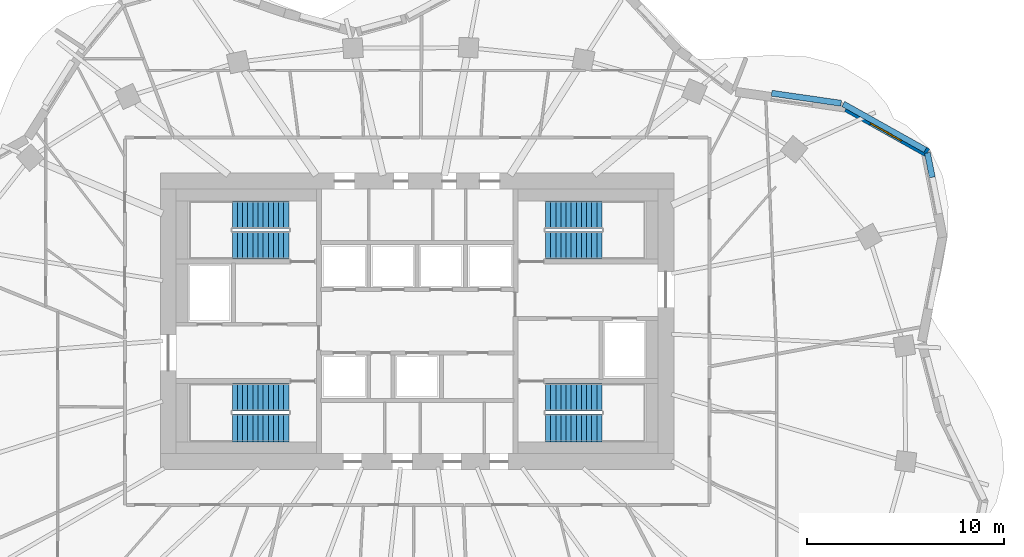
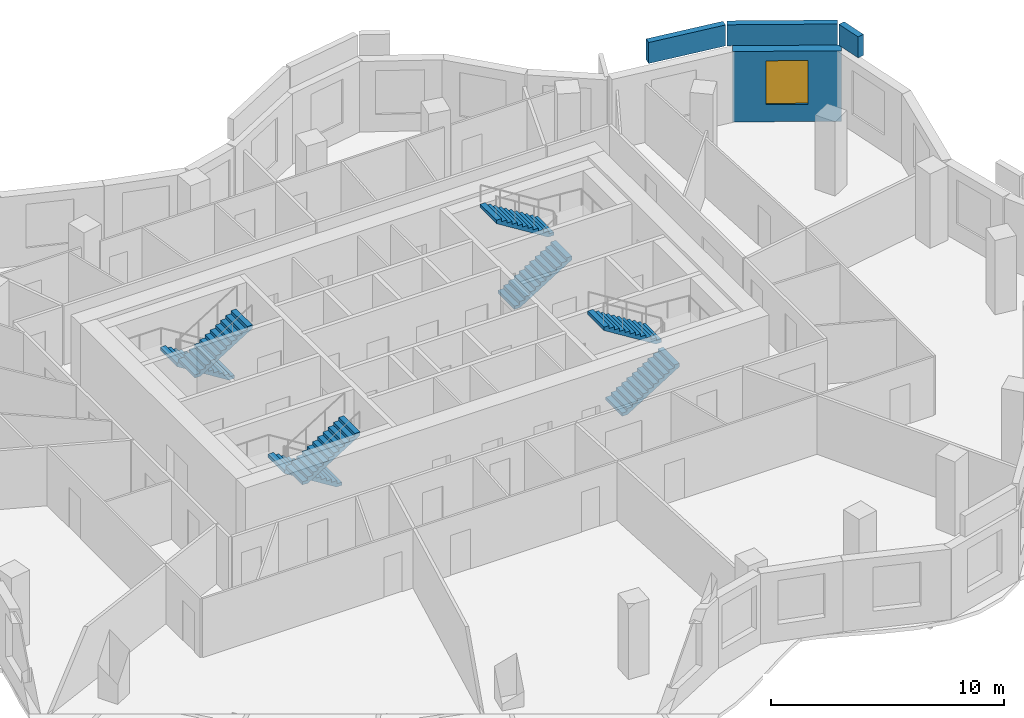
# One storey, part 9 of 10: 8 stair flights, 4 walls, 1 window, 1 opening, 4 elements without a shape of their own.
"""IFC4 building model written with IfcOpenShell, lengths in metres."""

from ifc_helpers import new_model, si_unit, direction, frame, frame_2d, origin, place, context, subcontext, project, spatial, polyline, rectangle, outline, extrude, material, layer, layer_set, type_object, element, fill, aggregate, save


model = new_model("IFC4")

# Units and contexts
model_context = context("Model", 3, precision=1e-05, world=origin(), true_north=direction((0.0, 1.0)))
body_context = subcontext(model_context, "Body", "Model", "MODEL_VIEW")
ifc_project = project(units=[si_unit("LENGTHUNIT", "METRE"), si_unit("AREAUNIT", "SQUARE_METRE"), si_unit("VOLUMEUNIT", "CUBIC_METRE"), si_unit("PLANEANGLEUNIT", "RADIAN"), si_unit("MASSUNIT", "GRAM", prefix="KILO")], contexts=[model_context])

# Site, building, storey
site_placement = place(None, origin())
site = spatial("IfcSite", under=ifc_project, at=site_placement, CompositionType="ELEMENT")
building_placement = place(site_placement, origin())
building = spatial("IfcBuilding", under=site, at=building_placement, Name="Rubra Terraces Tower", CompositionType="ELEMENT")
storey_placement = place(building_placement, frame((0.0, 0.0, 256.5)))
storey = spatial("IfcBuildingStorey", under=building, at=storey_placement, Name="L63", CompositionType="ELEMENT", Elevation=256.5)

# Wall, opening, window
ifc_material_1 = material(Name="Brick masonry red-brown", Category="masonry")
ifc_layer_1 = layer(ifc_material_1, 0.449951171875)
ifc_layer_set_1 = layer_set([ifc_layer_1], Name="Brick masonry red-brown")
wall_type_1 = type_object("IfcWallType", Name="Brick facade wall 450", PredefinedType="SOLIDWALL", material=ifc_layer_set_1)
wall_1_placement = place(storey_placement, frame((25.843994140625, 13.027587890625, 0.0), z_axis=(0.0, 0.0, 1.0), x_axis=(-0.872346398261, 0.488888291373, 0.0)))
wall_1 = element("IfcWall", 1, at=wall_1_placement, inside=storey, type_object=wall_type_1, Name="Facade wall L63 bay 4", PredefinedType="SOLIDWALL", context=body_context, shape_type="SweptSolid", body=[
    extrude(rectangle(XDim=4.696044921875, YDim=0.449951171875, at=frame_2d((2.34814453125, 0.0))), origin(), (0.0, 0.0, 1.0), 3.699951171875),
])
opening_placement = place(wall_1_placement, frame((1.447998046875, 0.0, 0.89990234375)))
opening = element("IfcOpeningElement", 2, at=opening_placement, cuts=wall_1, Name="Opening W6B", PredefinedType="OPENING", context=body_context, shape_type="SweptSolid", body=[
    extrude(rectangle(XDim=1.800048828125, YDim=2.300048828125, at=frame_2d((0.89990234375, 1.14990234375))), frame((0.0, 0.23486328125, 0.0), z_axis=(0.0, -1.0, 0.0), x_axis=(1.0, 0.0, 0.0)), (0.0, 0.0, 1.0), 0.469970703125),
])
ifc_material_2 = material(Name="Clear glass in aluminium frame", Category="aluminium")
window_type = type_object("IfcWindowType", Name="Fixed deep-set window at wind fin tall storey 1800 x 2300", PartitioningType="SINGLE_PANEL", PredefinedType="WINDOW", material=ifc_material_2)
window_placement = place(opening_placement, origin())
window = element("IfcWindow", 3, at=window_placement, inside=storey, type_object=window_type, Name="Window L63 bay 4", OverallHeight=2.300048828125, OverallWidth=1.800048828125, PartitioningType="SINGLE_PANEL", PredefinedType="WINDOW", context=body_context, shape_type="SweptSolid", body=[
    extrude(rectangle(XDim=1.800048828125, YDim=2.300048828125, at=frame_2d((0.89990234375, 1.14990234375))), frame((0.0, 0.135009765625, 0.0), z_axis=(0.0, -1.0, 0.0), x_axis=(1.0, 0.0, 0.0)), (0.0, 0.0, 1.0), 0.06005859375),
])
fill(opening, window)

# Walls
ifc_layer_2 = layer(ifc_material_1, 0.300048828125)
ifc_layer_set_2 = layer_set([ifc_layer_2], Name="Brick masonry red-brown")
wall_type_2 = type_object("IfcWallType", Name="Brick parapet 300", PredefinedType="PARAPET", material=ifc_layer_set_2)
wall_2_placement = place(storey_placement, frame((26.084228515625, 11.791748046875, 3.89990234375), z_axis=(0.0, 0.0, 1.0), x_axis=(-0.193846183911, 0.981031934742, 0.0)))
element("IfcWall", 4, at=wall_2_placement, inside=storey, type_object=wall_type_2, Name="Parapet L63 bay 3", PredefinedType="PARAPET", context=body_context, shape_type="SweptSolid", body=[
    extrude(rectangle(XDim=1.261962890625, YDim=0.300048828125, at=frame_2d((0.630859375, 0.0))), origin(), (0.0, 0.0, 1.0), 1.10009765625),
])
wall_3_placement = place(storey_placement, frame((25.733642578125, 13.175537109375, 3.89990234375), z_axis=(0.0, 0.0, 1.0), x_axis=(-0.872345142407, 0.488890532245, 0.0)))
element("IfcWall", 5, at=wall_3_placement, inside=storey, type_object=wall_type_2, Name="Parapet L63 bay 4", PredefinedType="PARAPET", context=body_context, shape_type="SweptSolid", body=[
    extrude(rectangle(XDim=4.762939453125, YDim=0.300048828125, at=frame_2d((2.38134765625, 0.0))), origin(), (0.0, 0.0, 1.0), 1.10009765625),
])
wall_4_placement = place(storey_placement, frame((21.470703125, 15.540771484375, 3.89990234375), z_axis=(0.0, 0.0, 1.0), x_axis=(-0.989713234374, 0.143065417571, 0.0)))
element("IfcWall", 6, at=wall_4_placement, inside=storey, type_object=wall_type_2, Name="Parapet L63 bay 5", PredefinedType="PARAPET", context=body_context, shape_type="SweptSolid", body=[
    extrude(rectangle(XDim=3.5546875, YDim=0.300048828125, at=frame_2d((1.77734375, 0.0))), origin(), (0.0, 0.0, 1.0), 1.10009765625),
])

# Stair, stair flights
ifc_material_3 = material(Name="Concrete C40", Category="concrete")
stair_type = type_object("IfcStairType", Name="Core stair 1400", PredefinedType="HALF_TURN_STAIR", material=ifc_material_3)
stair_1_placement = place(storey_placement, origin())
stair_1 = element("IfcStair", 7, at=stair_1_placement, inside=storey, type_object=stair_type, Name="L63 Exit stair S1", PredefinedType="HALF_TURN_STAIR")
stair_flight_type = type_object("IfcStairFlightType", Name="Core stair flight 1400", PredefinedType="STRAIGHT", material=ifc_material_3)
stair_flight_1_placement = place(storey_placement, frame((-6.5, 0.64990234375, 0.0), z_axis=(0.0, 0.0, 1.0), x_axis=(-1.0, 0.0, 0.0)))
stair_flight_1 = element("IfcStairFlight", 8, at=stair_flight_1_placement, type_object=stair_flight_type, Name="S1 flight 1", NumberOfRisers=12, NumberOfTreads=11, PredefinedType="STRAIGHT", RiserHeight=0.1625, TreadLength=0.26, context=body_context, shape_type="SweptSolid", body=[
    extrude(outline(polyline([(0.0, 0.0), (0.0, 0.16259765625), (0.260009765625, 0.16259765625), (0.260009765625, 0.324951171875), (0.52001953125, 0.324951171875), (0.52001953125, 0.487548828125), (0.780029296875, 0.487548828125), (0.780029296875, 0.64990234375), (1.0400390625, 0.64990234375), (1.0400390625, 0.8125), (1.300048828125, 0.8125), (1.300048828125, 0.97509765625), (1.56005859375, 0.97509765625), (1.56005859375, 1.137451171875), (1.820068359375, 1.137451171875), (1.820068359375, 1.300048828125), (2.080078125, 1.300048828125), (2.080078125, 1.46240234375), (2.340087890625, 1.46240234375), (2.340087890625, 1.625), (2.60009765625, 1.625), (2.60009765625, 1.78759765625), (2.860107421875, 1.78759765625), (2.860107421875, 1.949951171875), (2.860107421875, 1.61083984375), (0.28271484375, 0.0), (0.0, 0.0)])), frame((0.0, 0.699951171875, 0.0), z_axis=(0.0, -1.0, 0.0), x_axis=(1.0, 0.0, 0.0)), (0.0, 0.0, 1.0), 1.39990234375),
])
stair_flight_2_placement = place(storey_placement, frame((-9.360107421875, -0.89990234375, 1.949951171875), z_axis=(0.0, 0.0, 1.0), x_axis=(1.0, 0.0, 0.0)))
stair_flight_2 = element("IfcStairFlight", 9, at=stair_flight_2_placement, type_object=stair_flight_type, Name="S1 flight 2", NumberOfRisers=12, NumberOfTreads=11, PredefinedType="STRAIGHT", RiserHeight=0.1625, TreadLength=0.26, context=body_context, shape_type="SweptSolid", body=[
    extrude(outline(polyline([(0.0, 0.0), (0.0, 0.16259765625), (0.260009765625, 0.16259765625), (0.260009765625, 0.324951171875), (0.52001953125, 0.324951171875), (0.52001953125, 0.487548828125), (0.780029296875, 0.487548828125), (0.780029296875, 0.64990234375), (1.0400390625, 0.64990234375), (1.0400390625, 0.8125), (1.300048828125, 0.8125), (1.300048828125, 0.97509765625), (1.56005859375, 0.97509765625), (1.56005859375, 1.137451171875), (1.820068359375, 1.137451171875), (1.820068359375, 1.300048828125), (2.080078125, 1.300048828125), (2.080078125, 1.46240234375), (2.340087890625, 1.46240234375), (2.340087890625, 1.625), (2.60009765625, 1.625), (2.60009765625, 1.78759765625), (2.860107421875, 1.78759765625), (2.860107421875, 1.949951171875), (2.860107421875, 1.61083984375), (0.28271484375, 0.0), (0.0, 0.0)])), frame((0.0, 0.699951171875, 0.0), z_axis=(0.0, -1.0, 0.0), x_axis=(1.0, 0.0, 0.0)), (0.0, 0.0, 1.0), 1.39990234375),
])
aggregate(stair_1, [stair_flight_1, stair_flight_2])

stair_2_placement = place(storey_placement, origin())
stair_2 = element("IfcStair", 10, at=stair_2_placement, inside=storey, type_object=stair_type, Name="L63 Exit stair S2", PredefinedType="HALF_TURN_STAIR")
stair_flight_3_placement = place(storey_placement, frame((-6.5, 9.89990234375, 0.0), z_axis=(0.0, 0.0, 1.0), x_axis=(-1.0, 0.0, 0.0)))
stair_flight_3 = element("IfcStairFlight", 11, at=stair_flight_3_placement, type_object=stair_flight_type, Name="S2 flight 1", NumberOfRisers=12, NumberOfTreads=11, PredefinedType="STRAIGHT", RiserHeight=0.1625, TreadLength=0.26, context=body_context, shape_type="SweptSolid", body=[
    extrude(outline(polyline([(0.0, 0.0), (0.0, 0.16259765625), (0.260009765625, 0.16259765625), (0.260009765625, 0.324951171875), (0.52001953125, 0.324951171875), (0.52001953125, 0.487548828125), (0.780029296875, 0.487548828125), (0.780029296875, 0.64990234375), (1.0400390625, 0.64990234375), (1.0400390625, 0.8125), (1.300048828125, 0.8125), (1.300048828125, 0.97509765625), (1.56005859375, 0.97509765625), (1.56005859375, 1.137451171875), (1.820068359375, 1.137451171875), (1.820068359375, 1.300048828125), (2.080078125, 1.300048828125), (2.080078125, 1.46240234375), (2.340087890625, 1.46240234375), (2.340087890625, 1.625), (2.60009765625, 1.625), (2.60009765625, 1.78759765625), (2.860107421875, 1.78759765625), (2.860107421875, 1.949951171875), (2.860107421875, 1.61083984375), (0.28271484375, 0.0), (0.0, 0.0)])), frame((0.0, 0.699951171875, 0.0), z_axis=(0.0, -1.0, 0.0), x_axis=(1.0, 0.0, 0.0)), (0.0, 0.0, 1.0), 1.39990234375),
])
stair_flight_4_placement = place(storey_placement, frame((-9.360107421875, 8.35009765625, 1.949951171875), z_axis=(0.0, 0.0, 1.0), x_axis=(1.0, 0.0, 0.0)))
stair_flight_4 = element("IfcStairFlight", 12, at=stair_flight_4_placement, type_object=stair_flight_type, Name="S2 flight 2", NumberOfRisers=12, NumberOfTreads=11, PredefinedType="STRAIGHT", RiserHeight=0.1625, TreadLength=0.26, context=body_context, shape_type="SweptSolid", body=[
    extrude(outline(polyline([(0.0, 0.0), (0.0, 0.16259765625), (0.260009765625, 0.16259765625), (0.260009765625, 0.324951171875), (0.52001953125, 0.324951171875), (0.52001953125, 0.487548828125), (0.780029296875, 0.487548828125), (0.780029296875, 0.64990234375), (1.0400390625, 0.64990234375), (1.0400390625, 0.8125), (1.300048828125, 0.8125), (1.300048828125, 0.97509765625), (1.56005859375, 0.97509765625), (1.56005859375, 1.137451171875), (1.820068359375, 1.137451171875), (1.820068359375, 1.300048828125), (2.080078125, 1.300048828125), (2.080078125, 1.46240234375), (2.340087890625, 1.46240234375), (2.340087890625, 1.625), (2.60009765625, 1.625), (2.60009765625, 1.78759765625), (2.860107421875, 1.78759765625), (2.860107421875, 1.949951171875), (2.860107421875, 1.61083984375), (0.28271484375, 0.0), (0.0, 0.0)])), frame((0.0, 0.699951171875, 0.0), z_axis=(0.0, -1.0, 0.0), x_axis=(1.0, 0.0, 0.0)), (0.0, 0.0, 1.0), 1.39990234375),
])
aggregate(stair_2, [stair_flight_3, stair_flight_4])

stair_3_placement = place(storey_placement, origin())
stair_3 = element("IfcStair", 13, at=stair_3_placement, inside=storey, type_object=stair_type, Name="L63 Exit stair S3", PredefinedType="HALF_TURN_STAIR")
stair_flight_5_placement = place(storey_placement, frame((6.5, 8.35009765625, 0.0), z_axis=(0.0, 0.0, 1.0), x_axis=(1.0, 0.0, 0.0)))
stair_flight_5 = element("IfcStairFlight", 14, at=stair_flight_5_placement, type_object=stair_flight_type, Name="S3 flight 1", NumberOfRisers=12, NumberOfTreads=11, PredefinedType="STRAIGHT", RiserHeight=0.1625, TreadLength=0.26, context=body_context, shape_type="SweptSolid", body=[
    extrude(outline(polyline([(0.0, 0.0), (0.0, 0.16259765625), (0.260009765625, 0.16259765625), (0.260009765625, 0.324951171875), (0.52001953125, 0.324951171875), (0.52001953125, 0.487548828125), (0.780029296875, 0.487548828125), (0.780029296875, 0.64990234375), (1.0400390625, 0.64990234375), (1.0400390625, 0.8125), (1.300048828125, 0.8125), (1.300048828125, 0.97509765625), (1.56005859375, 0.97509765625), (1.56005859375, 1.137451171875), (1.820068359375, 1.137451171875), (1.820068359375, 1.300048828125), (2.080078125, 1.300048828125), (2.080078125, 1.46240234375), (2.340087890625, 1.46240234375), (2.340087890625, 1.625), (2.60009765625, 1.625), (2.60009765625, 1.78759765625), (2.860107421875, 1.78759765625), (2.860107421875, 1.949951171875), (2.860107421875, 1.61083984375), (0.28271484375, 0.0), (0.0, 0.0)])), frame((0.0, 0.699951171875, 0.0), z_axis=(0.0, -1.0, 0.0), x_axis=(1.0, 0.0, 0.0)), (0.0, 0.0, 1.0), 1.39990234375),
])
stair_flight_6_placement = place(storey_placement, frame((9.360107421875, 9.89990234375, 1.949951171875), z_axis=(0.0, 0.0, 1.0), x_axis=(-1.0, 0.0, 0.0)))
stair_flight_6 = element("IfcStairFlight", 15, at=stair_flight_6_placement, type_object=stair_flight_type, Name="S3 flight 2", NumberOfRisers=12, NumberOfTreads=11, PredefinedType="STRAIGHT", RiserHeight=0.1625, TreadLength=0.26, context=body_context, shape_type="SweptSolid", body=[
    extrude(outline(polyline([(0.0, 0.0), (0.0, 0.16259765625), (0.260009765625, 0.16259765625), (0.260009765625, 0.324951171875), (0.52001953125, 0.324951171875), (0.52001953125, 0.487548828125), (0.780029296875, 0.487548828125), (0.780029296875, 0.64990234375), (1.0400390625, 0.64990234375), (1.0400390625, 0.8125), (1.300048828125, 0.8125), (1.300048828125, 0.97509765625), (1.56005859375, 0.97509765625), (1.56005859375, 1.137451171875), (1.820068359375, 1.137451171875), (1.820068359375, 1.300048828125), (2.080078125, 1.300048828125), (2.080078125, 1.46240234375), (2.340087890625, 1.46240234375), (2.340087890625, 1.625), (2.60009765625, 1.625), (2.60009765625, 1.78759765625), (2.860107421875, 1.78759765625), (2.860107421875, 1.949951171875), (2.860107421875, 1.61083984375), (0.28271484375, 0.0), (0.0, 0.0)])), frame((0.0, 0.699951171875, 0.0), z_axis=(0.0, -1.0, 0.0), x_axis=(1.0, 0.0, 0.0)), (0.0, 0.0, 1.0), 1.39990234375),
])
aggregate(stair_3, [stair_flight_5, stair_flight_6])

stair_4_placement = place(storey_placement, origin())
stair_4 = element("IfcStair", 16, at=stair_4_placement, inside=storey, type_object=stair_type, Name="L63 Exit stair S4", PredefinedType="HALF_TURN_STAIR")
stair_flight_7_placement = place(storey_placement, frame((6.5, -0.89990234375, 0.0), z_axis=(0.0, 0.0, 1.0), x_axis=(1.0, 0.0, 0.0)))
stair_flight_7 = element("IfcStairFlight", 17, at=stair_flight_7_placement, type_object=stair_flight_type, Name="S4 flight 1", NumberOfRisers=12, NumberOfTreads=11, PredefinedType="STRAIGHT", RiserHeight=0.1625, TreadLength=0.26, context=body_context, shape_type="SweptSolid", body=[
    extrude(outline(polyline([(0.0, 0.0), (0.0, 0.16259765625), (0.260009765625, 0.16259765625), (0.260009765625, 0.324951171875), (0.52001953125, 0.324951171875), (0.52001953125, 0.487548828125), (0.780029296875, 0.487548828125), (0.780029296875, 0.64990234375), (1.0400390625, 0.64990234375), (1.0400390625, 0.8125), (1.300048828125, 0.8125), (1.300048828125, 0.97509765625), (1.56005859375, 0.97509765625), (1.56005859375, 1.137451171875), (1.820068359375, 1.137451171875), (1.820068359375, 1.300048828125), (2.080078125, 1.300048828125), (2.080078125, 1.46240234375), (2.340087890625, 1.46240234375), (2.340087890625, 1.625), (2.60009765625, 1.625), (2.60009765625, 1.78759765625), (2.860107421875, 1.78759765625), (2.860107421875, 1.949951171875), (2.860107421875, 1.61083984375), (0.28271484375, 0.0), (0.0, 0.0)])), frame((0.0, 0.699951171875, 0.0), z_axis=(0.0, -1.0, 0.0), x_axis=(1.0, 0.0, 0.0)), (0.0, 0.0, 1.0), 1.39990234375),
])
stair_flight_8_placement = place(storey_placement, frame((9.360107421875, 0.64990234375, 1.949951171875), z_axis=(0.0, 0.0, 1.0), x_axis=(-1.0, 0.0, 0.0)))
stair_flight_8 = element("IfcStairFlight", 18, at=stair_flight_8_placement, type_object=stair_flight_type, Name="S4 flight 2", NumberOfRisers=12, NumberOfTreads=11, PredefinedType="STRAIGHT", RiserHeight=0.1625, TreadLength=0.26, context=body_context, shape_type="SweptSolid", body=[
    extrude(outline(polyline([(0.0, 0.0), (0.0, 0.16259765625), (0.260009765625, 0.16259765625), (0.260009765625, 0.324951171875), (0.52001953125, 0.324951171875), (0.52001953125, 0.487548828125), (0.780029296875, 0.487548828125), (0.780029296875, 0.64990234375), (1.0400390625, 0.64990234375), (1.0400390625, 0.8125), (1.300048828125, 0.8125), (1.300048828125, 0.97509765625), (1.56005859375, 0.97509765625), (1.56005859375, 1.137451171875), (1.820068359375, 1.137451171875), (1.820068359375, 1.300048828125), (2.080078125, 1.300048828125), (2.080078125, 1.46240234375), (2.340087890625, 1.46240234375), (2.340087890625, 1.625), (2.60009765625, 1.625), (2.60009765625, 1.78759765625), (2.860107421875, 1.78759765625), (2.860107421875, 1.949951171875), (2.860107421875, 1.61083984375), (0.28271484375, 0.0), (0.0, 0.0)])), frame((0.0, 0.699951171875, 0.0), z_axis=(0.0, -1.0, 0.0), x_axis=(1.0, 0.0, 0.0)), (0.0, 0.0, 1.0), 1.39990234375),
])
aggregate(stair_4, [stair_flight_7, stair_flight_8])

save(model, "model.ifc")
